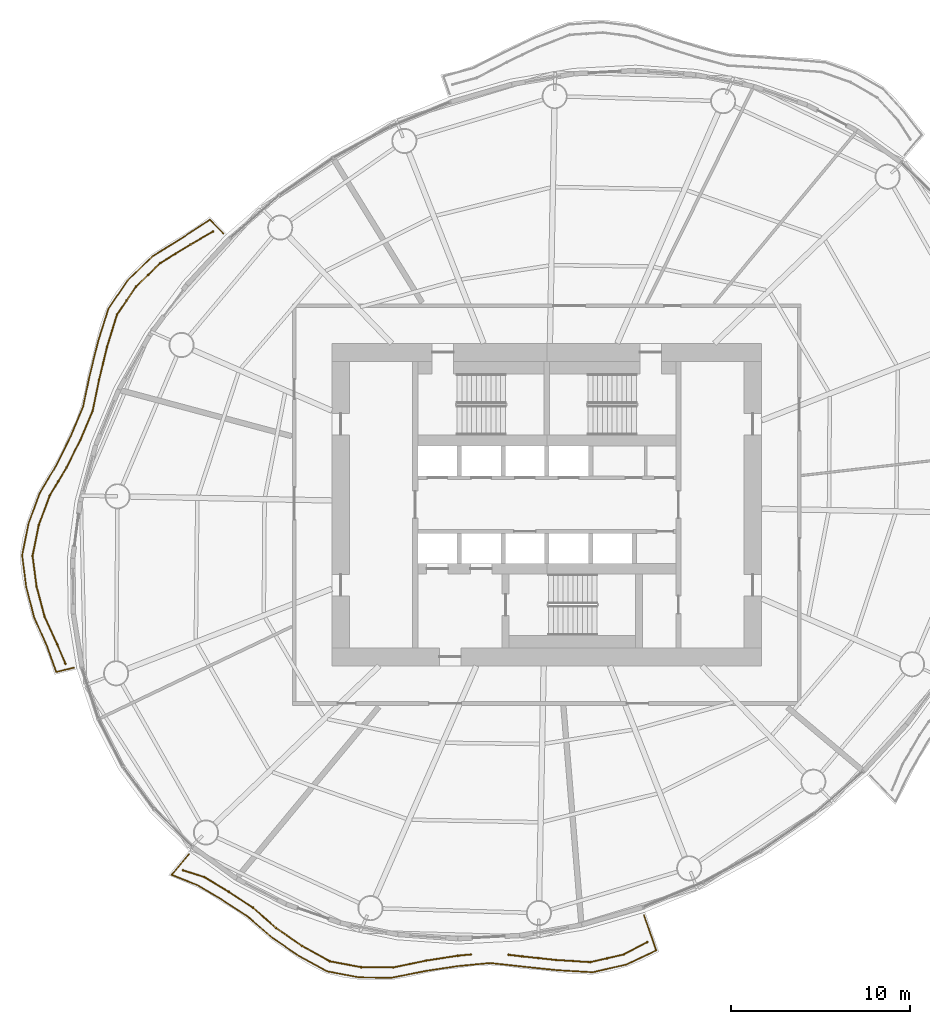
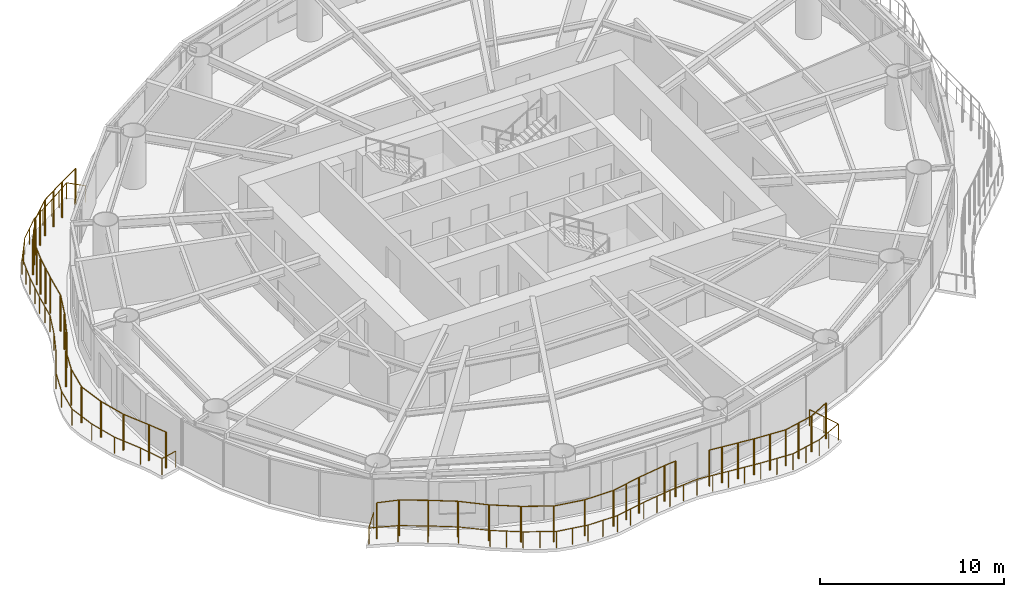
# One storey, part 12 of 15: 5 railings.
"""IFC4 building model written with IfcOpenShell, lengths in metres."""

from ifc_helpers import new_model, si_unit, direction, frame, origin, origin_2d, place, context, subcontext, project, spatial, circle, extrude, material, type_object, element, save


model = new_model("IFC4")

# Units and contexts
model_context = context("Model", 3, precision=1e-05, world=origin(), true_north=direction((0.0, 1.0)))
body_context = subcontext(model_context, "Body", "Model", "MODEL_VIEW")
ifc_project = project(units=[si_unit("LENGTHUNIT", "METRE"), si_unit("AREAUNIT", "SQUARE_METRE"), si_unit("VOLUMEUNIT", "CUBIC_METRE"), si_unit("PLANEANGLEUNIT", "RADIAN"), si_unit("MASSUNIT", "GRAM", prefix="KILO")], contexts=[model_context])

# Site, building, storey
site_placement = place(None, origin())
site = spatial("IfcSite", under=ifc_project, at=site_placement, CompositionType="ELEMENT")
building_placement = place(site_placement, origin())
building = spatial("IfcBuilding", under=site, at=building_placement, Name="Vermilion Reach Broadcast Tower", CompositionType="ELEMENT")
storey_placement = place(building_placement, frame((0.0, 0.0, 161.39990234375)))
storey = spatial("IfcBuildingStorey", under=building, at=storey_placement, Name="L38", CompositionType="ELEMENT", Elevation=161.39990234375)

# Railings
ifc_material_1 = material(Name="Terracotta baguette", Category="masonry")
railing_type_1 = type_object("IfcRailingType", Name="BAGUETTE SCREEN", PredefinedType="USERDEFINED", material=ifc_material_1)
railing_1_placement = place(storey_placement, frame((-24.630126953125, 15.246826171875, 0.0)))
element("IfcRailing", 1, at=railing_1_placement, inside=storey, type_object=railing_type_1, Name="Baguette screen L38 group 2", ObjectType="BAGUETTE SCREEN", PredefinedType="USERDEFINED", context=body_context, shape_type="SweptSolid", body=[
    extrude(circle(Radius=0.030029296875, at=origin_2d()), frame((0.0, 0.0, 2.369873046875), z_axis=(-0.865789269048, -0.500408774506, 0.0), x_axis=(0.500408774506, -0.865789269048, 0.0)), (0.0, 0.0, 1.0), 1.457275390625),
    extrude(circle(Radius=0.030029296875, at=origin_2d()), frame((-1.26171875, -0.729248046875, 2.369873046875), z_axis=(-0.852202232403, -0.523212533382, 0.0), x_axis=(0.523212533382, -0.852202232403, 0.0)), (0.0, 0.0, 1.0), 1.970947265625),
    extrude(circle(Radius=0.030029296875, at=origin_2d()), frame((-2.94140625, -1.760498046875, 2.369873046875), z_axis=(-0.717781379006, -0.696268548731, 0.0), x_axis=(0.696268548731, -0.717781379006, 0.0)), (0.0, 0.0, 1.0), 1.895263671875),
    extrude(circle(Radius=0.030029296875, at=origin_2d()), frame((-4.3017578125, -3.080078125, 2.369873046875), z_axis=(-0.561336973959, -0.827587337788, 0.0), x_axis=(0.827587337788, -0.561336973959, 0.0)), (0.0, 0.0, 1.0), 1.887939453125),
    extrude(circle(Radius=0.030029296875, at=origin_2d()), frame((-5.361572265625, -4.642578125, 2.369873046875), z_axis=(-0.294664988921, -0.955600619665, 0.0), x_axis=(0.955600619665, -0.294664988921, 0.0)), (0.0, 0.0, 1.0), 1.895751953125),
    extrude(circle(Radius=0.030029296875, at=origin_2d()), frame((-5.920166015625, -6.4541015625, 2.369873046875), z_axis=(-0.235439492781, -0.971889008704, 0.0), x_axis=(0.971889008704, -0.235439492781, 0.0)), (0.0, 0.0, 1.0), 1.871826171875),
    extrude(circle(Radius=0.030029296875, at=origin_2d()), frame((-6.36083984375, -8.273193359375, 2.369873046875), z_axis=(-0.203529616167, -0.979068789893, 0.0), x_axis=(0.979068789893, -0.203529616167, 0.0)), (0.0, 0.0, 1.0), 1.791015625),
    extrude(circle(Radius=0.030029296875, at=origin_2d()), frame((-6.725341796875, -10.026611328125, 2.369873046875), z_axis=(-0.390106705086, -0.920769655586, 0.0), x_axis=(0.920769655586, -0.390106705086, 0.0)), (0.0, 0.0, 1.0), 1.740478515625),
    extrude(circle(Radius=0.030029296875, at=origin_2d()), frame((-7.404296875, -11.629150390625, 2.369873046875), z_axis=(-0.445802272519, -0.895131461751, 0.0), x_axis=(0.895131461751, -0.445802272519, 0.0)), (0.0, 0.0, 1.0), 1.73046875),
    extrude(circle(Radius=0.030029296875, at=origin_2d()), frame((-8.17578125, -13.17822265625, 2.369873046875), z_axis=(-0.515145119126, -0.85710297295, 0.0), x_axis=(0.85710297295, -0.515145119126, 0.0)), (0.0, 0.0, 1.0), 1.82421875),
    extrude(circle(Radius=0.030029296875, at=origin_2d()), frame((-9.115478515625, -14.74169921875, 2.369873046875), z_axis=(-0.348838711463, -0.937182774802, 0.0), x_axis=(0.937182774802, -0.348838711463, 0.0)), (0.0, 0.0, 1.0), 1.75732421875),
    extrude(circle(Radius=0.030029296875, at=origin_2d()), frame((-9.728515625, -16.388671875, 2.369873046875), z_axis=(-0.198224567176, -0.980156630834, 0.0), x_axis=(0.980156630834, -0.198224567176, 0.0)), (0.0, 0.0, 1.0), 1.7587890625),
    extrude(circle(Radius=0.030029296875, at=origin_2d()), frame((-10.0771484375, -18.112548828125, 2.369873046875), z_axis=(0.130692073945, -0.991423008512, 0.0), x_axis=(0.991423008512, 0.130692073945, 0.0)), (0.0, 0.0, 1.0), 1.72802734375),
    extrude(circle(Radius=0.030029296875, at=origin_2d()), frame((-9.851318359375, -19.82568359375, 2.369873046875), z_axis=(0.257565917612, -0.966260729868, 0.0), x_axis=(0.966260729868, 0.257565917612, 0.0)), (0.0, 0.0, 1.0), 1.72802734375),
    extrude(circle(Radius=0.030029296875, at=origin_2d()), frame((-9.40625, -21.495361328125, 2.369873046875), z_axis=(0.414980190974, -0.909830446347, 0.0), x_axis=(0.909830446347, 0.414980190974, 0.0)), (0.0, 0.0, 1.0), 1.70263671875),
    extrude(circle(Radius=0.030029296875, at=origin_2d()), frame((-8.69970703125, -23.04443359375, 2.369873046875), z_axis=(0.389089822634, -0.921199820844, 0.0), x_axis=(0.921199820844, 0.389089822634, 0.0)), (0.0, 0.0, 1.0), 1.1728515625),
    extrude(circle(Radius=0.050048828125, at=origin_2d()), origin(), (0.0, 0.0, 1.0), 2.33984375),
    extrude(circle(Radius=0.050048828125, at=origin_2d()), frame((-1.26171875, -0.729248046875, 0.0)), (0.0, 0.0, 1.0), 2.33984375),
    extrude(circle(Radius=0.050048828125, at=origin_2d()), frame((-2.1015625, -1.244873046875, 0.0)), (0.0, 0.0, 1.0), 2.33984375),
    extrude(circle(Radius=0.050048828125, at=origin_2d()), frame((-2.94140625, -1.760498046875, 0.0)), (0.0, 0.0, 1.0), 2.33984375),
    extrude(circle(Radius=0.050048828125, at=origin_2d()), frame((-3.62158203125, -2.42041015625, 0.0)), (0.0, 0.0, 1.0), 2.33984375),
    extrude(circle(Radius=0.050048828125, at=origin_2d()), frame((-4.3017578125, -3.080078125, 0.0)), (0.0, 0.0, 1.0), 2.33984375),
    extrude(circle(Radius=0.050048828125, at=origin_2d()), frame((-4.83154296875, -3.861328125, 0.0)), (0.0, 0.0, 1.0), 2.33984375),
    extrude(circle(Radius=0.050048828125, at=origin_2d()), frame((-5.361572265625, -4.642578125, 0.0)), (0.0, 0.0, 1.0), 2.33984375),
    extrude(circle(Radius=0.050048828125, at=origin_2d()), frame((-5.640869140625, -5.54833984375, 0.0)), (0.0, 0.0, 1.0), 2.33984375),
    extrude(circle(Radius=0.050048828125, at=origin_2d()), frame((-5.920166015625, -6.4541015625, 0.0)), (0.0, 0.0, 1.0), 2.33984375),
    extrude(circle(Radius=0.050048828125, at=origin_2d()), frame((-6.140625, -7.36376953125, 0.0)), (0.0, 0.0, 1.0), 2.33984375),
    extrude(circle(Radius=0.050048828125, at=origin_2d()), frame((-6.36083984375, -8.273193359375, 0.0)), (0.0, 0.0, 1.0), 2.33984375),
    extrude(circle(Radius=0.050048828125, at=origin_2d()), frame((-6.725341796875, -10.026611328125, 0.0)), (0.0, 0.0, 1.0), 2.33984375),
    extrude(circle(Radius=0.050048828125, at=origin_2d()), frame((-7.404296875, -11.629150390625, 0.0)), (0.0, 0.0, 1.0), 2.33984375),
    extrude(circle(Radius=0.050048828125, at=origin_2d()), frame((-8.17578125, -13.17822265625, 0.0)), (0.0, 0.0, 1.0), 2.33984375),
    extrude(circle(Radius=0.050048828125, at=origin_2d()), frame((-8.6455078125, -13.9599609375, 0.0)), (0.0, 0.0, 1.0), 2.33984375),
    extrude(circle(Radius=0.050048828125, at=origin_2d()), frame((-9.115478515625, -14.74169921875, 0.0)), (0.0, 0.0, 1.0), 2.33984375),
    extrude(circle(Radius=0.050048828125, at=origin_2d()), frame((-9.728515625, -16.388671875, 0.0)), (0.0, 0.0, 1.0), 2.33984375),
    extrude(circle(Radius=0.050048828125, at=origin_2d()), frame((-10.0771484375, -18.112548828125, 0.0)), (0.0, 0.0, 1.0), 2.33984375),
    extrude(circle(Radius=0.050048828125, at=origin_2d()), frame((-9.851318359375, -19.82568359375, 0.0)), (0.0, 0.0, 1.0), 2.33984375),
    extrude(circle(Radius=0.050048828125, at=origin_2d()), frame((-9.40625, -21.495361328125, 0.0)), (0.0, 0.0, 1.0), 2.33984375),
    extrude(circle(Radius=0.050048828125, at=origin_2d()), frame((-8.69970703125, -23.04443359375, 0.0)), (0.0, 0.0, 1.0), 2.33984375),
    extrude(circle(Radius=0.050048828125, at=origin_2d()), frame((-8.243408203125, -24.124755859375, 0.0)), (0.0, 0.0, 1.0), 2.33984375),
])
railing_2_placement = place(storey_placement, frame((-26.300537109375, -20.412841796875, 0.0)))
element("IfcRailing", 2, at=railing_2_placement, inside=storey, type_object=railing_type_1, Name="Baguette screen L38 group 3 part 1", ObjectType="BAGUETTE SCREEN", PredefinedType="USERDEFINED", context=body_context, shape_type="SweptSolid", body=[
    extrude(circle(Radius=0.030029296875, at=origin_2d()), frame((0.0, 0.0, 2.369873046875), z_axis=(0.952666501085, -0.304017331265, 0.0), x_axis=(0.304017331265, 0.952666501085, 0.0)), (0.0, 0.0, 1.0), 1.23828125),
    extrude(circle(Radius=0.030029296875, at=origin_2d()), frame((1.1796875, -0.37646484375, 2.369873046875), z_axis=(0.857858377668, -0.513886177927, 0.0), x_axis=(0.513886177927, 0.857858377668, 0.0)), (0.0, 0.0, 1.0), 1.590576171875),
    extrude(circle(Radius=0.030029296875, at=origin_2d()), frame((2.544189453125, -1.19384765625, 2.369873046875), z_axis=(0.835130519487, -0.550051829759, 0.0), x_axis=(0.550051829759, 0.835130519487, 0.0)), (0.0, 0.0, 1.0), 1.627197265625),
    extrude(circle(Radius=0.030029296875, at=origin_2d()), frame((3.903076171875, -2.0888671875, 2.369873046875), z_axis=(0.750875033817, -0.660444307713, 0.0), x_axis=(0.660444307713, 0.750875033817, 0.0)), (0.0, 0.0, 1.0), 1.708984375),
    extrude(circle(Radius=0.030029296875, at=origin_2d()), frame((5.186279296875, -3.217529296875, 2.369873046875), z_axis=(0.822222124769, -0.569166739664, 0.0), x_axis=(0.569166739664, 0.822222124769, 0.0)), (0.0, 0.0, 1.0), 1.76171875),
    extrude(circle(Radius=0.030029296875, at=origin_2d()), frame((6.634765625, -4.22021484375, 2.369873046875), z_axis=(0.874780573152, -0.484519296661, 0.0), x_axis=(0.484519296661, 0.874780573152, 0.0)), (0.0, 0.0, 1.0), 1.771728515625),
    extrude(circle(Radius=0.030029296875, at=origin_2d()), frame((8.1845703125, -5.07861328125, 2.369873046875), z_axis=(0.982694016876, -0.185236252382, 0.0), x_axis=(0.185236252382, 0.982694016876, 0.0)), (0.0, 0.0, 1.0), 1.78857421875),
    extrude(circle(Radius=0.030029296875, at=origin_2d()), frame((9.942138671875, -5.409912109375, 2.369873046875), z_axis=(0.999977699705, -0.00667833001, 0.0), x_axis=(0.00667833001, 0.999977699705, 0.0)), (0.0, 0.0, 1.0), 1.791259765625),
    extrude(circle(Radius=0.030029296875, at=origin_2d()), frame((11.7333984375, -5.421875, 2.369873046875), z_axis=(0.979129919444, 0.203235333666, 0.0), x_axis=(-0.203235333666, 0.979129919444, 0.0)), (0.0, 0.0, 1.0), 1.87158203125),
    extrude(circle(Radius=0.030029296875, at=origin_2d()), frame((13.56591796875, -5.04150390625, 2.369873046875), z_axis=(0.988168546056, 0.153371850695, 0.0), x_axis=(-0.153371850695, 0.988168546056, 0.0)), (0.0, 0.0, 1.0), 1.7861328125),
    extrude(circle(Radius=0.030029296875, at=origin_2d()), frame((15.330810546875, -4.767578125, 2.369873046875), z_axis=(0.995390095133, 0.095909115891, 0.0), x_axis=(-0.095909115891, 0.995390095133, 0.0)), (0.0, 0.0, 1.0), 0.733154296875),
    extrude(circle(Radius=0.050048828125, at=origin_2d()), origin(), (0.0, 0.0, 1.0), 2.33984375),
    extrude(circle(Radius=0.050048828125, at=origin_2d()), frame((1.1796875, -0.37646484375, 0.0)), (0.0, 0.0, 1.0), 2.33984375),
    extrude(circle(Radius=0.050048828125, at=origin_2d()), frame((2.544189453125, -1.19384765625, 0.0)), (0.0, 0.0, 1.0), 2.33984375),
    extrude(circle(Radius=0.050048828125, at=origin_2d()), frame((3.903076171875, -2.0888671875, 0.0)), (0.0, 0.0, 1.0), 2.33984375),
    extrude(circle(Radius=0.050048828125, at=origin_2d()), frame((5.186279296875, -3.217529296875, 0.0)), (0.0, 0.0, 1.0), 2.33984375),
    extrude(circle(Radius=0.050048828125, at=origin_2d()), frame((6.634765625, -4.22021484375, 0.0)), (0.0, 0.0, 1.0), 2.33984375),
    extrude(circle(Radius=0.050048828125, at=origin_2d()), frame((8.1845703125, -5.07861328125, 0.0)), (0.0, 0.0, 1.0), 2.33984375),
    extrude(circle(Radius=0.050048828125, at=origin_2d()), frame((9.942138671875, -5.409912109375, 0.0)), (0.0, 0.0, 1.0), 2.33984375),
    extrude(circle(Radius=0.050048828125, at=origin_2d()), frame((11.7333984375, -5.421875, 0.0)), (0.0, 0.0, 1.0), 2.33984375),
    extrude(circle(Radius=0.050048828125, at=origin_2d()), frame((12.649658203125, -5.231689453125, 0.0)), (0.0, 0.0, 1.0), 2.33984375),
    extrude(circle(Radius=0.050048828125, at=origin_2d()), frame((13.56591796875, -5.04150390625, 0.0)), (0.0, 0.0, 1.0), 2.33984375),
    extrude(circle(Radius=0.050048828125, at=origin_2d()), frame((15.330810546875, -4.767578125, 0.0)), (0.0, 0.0, 1.0), 2.33984375),
    extrude(circle(Radius=0.050048828125, at=origin_2d()), frame((16.060546875, -4.697265625, 0.0)), (0.0, 0.0, 1.0), 2.33984375),
])
railing_3_placement = place(storey_placement, frame((-8.13623046875, -25.12939453125, 0.0)))
element("IfcRailing", 3, at=railing_3_placement, inside=storey, type_object=railing_type_1, Name="Baguette screen L38 group 3 part 2", ObjectType="BAGUETTE SCREEN", PredefinedType="USERDEFINED", context=body_context, shape_type="SweptSolid", body=[
    extrude(circle(Radius=0.030029296875, at=origin_2d()), frame((0.0, 0.0, 2.369873046875), z_axis=(0.993611867789, -0.112851478456, 0.0), x_axis=(0.112851478456, 0.993611867789, 0.0)), (0.0, 0.0, 1.0), 0.7529296875),
    extrude(circle(Radius=0.030029296875, at=origin_2d()), frame((0.748046875, -0.0849609375, 2.369873046875), z_axis=(0.994246300992, -0.107118126215, 0.0), x_axis=(0.107118126215, 0.994246300992, 0.0)), (0.0, 0.0, 1.0), 1.90087890625),
    extrude(circle(Radius=0.030029296875, at=origin_2d()), frame((2.637939453125, -0.28857421875, 2.369873046875), z_axis=(0.998043228569, -0.062527705119, 0.0), x_axis=(0.062527705119, 0.998043228569, 0.0)), (0.0, 0.0, 1.0), 1.9326171875),
    extrude(circle(Radius=0.030029296875, at=origin_2d()), frame((4.56689453125, -0.409423828125, 2.369873046875), z_axis=(0.974819673646, 0.222994627453, 0.0), x_axis=(-0.222994627453, 0.974819673646, 0.0)), (0.0, 0.0, 1.0), 1.91259765625),
    extrude(circle(Radius=0.030029296875, at=origin_2d()), frame((6.431396484375, 0.01708984375, 2.369873046875), z_axis=(0.885834771847, 0.464000815718, 0.0), x_axis=(-0.464000815718, 0.885834771847, 0.0)), (0.0, 0.0, 1.0), 1.476318359375),
    extrude(circle(Radius=0.050048828125, at=origin_2d()), origin(), (0.0, 0.0, 1.0), 2.33984375),
    extrude(circle(Radius=0.050048828125, at=origin_2d()), frame((0.748046875, -0.0849609375, 0.0)), (0.0, 0.0, 1.0), 2.33984375),
    extrude(circle(Radius=0.050048828125, at=origin_2d()), frame((1.69287109375, -0.186767578125, 0.0)), (0.0, 0.0, 1.0), 2.33984375),
    extrude(circle(Radius=0.050048828125, at=origin_2d()), frame((2.637939453125, -0.28857421875, 0.0)), (0.0, 0.0, 1.0), 2.33984375),
    extrude(circle(Radius=0.050048828125, at=origin_2d()), frame((3.6025390625, -0.34912109375, 0.0)), (0.0, 0.0, 1.0), 2.33984375),
    extrude(circle(Radius=0.050048828125, at=origin_2d()), frame((4.56689453125, -0.409423828125, 0.0)), (0.0, 0.0, 1.0), 2.33984375),
    extrude(circle(Radius=0.050048828125, at=origin_2d()), frame((5.4990234375, -0.1962890625, 0.0)), (0.0, 0.0, 1.0), 2.33984375),
    extrude(circle(Radius=0.050048828125, at=origin_2d()), frame((6.431396484375, 0.01708984375, 0.0)), (0.0, 0.0, 1.0), 2.33984375),
    extrude(circle(Radius=0.050048828125, at=origin_2d()), frame((7.7392578125, 0.7021484375, 0.0)), (0.0, 0.0, 1.0), 2.33984375),
])
ifc_material_2 = material(Name="Stainless steel 316 balustrade", Category="steel")
railing_type_2 = type_object("IfcRailingType", Name="Balcony guard 1100", PredefinedType="BALUSTRADE", material=ifc_material_2)
railing_4_placement = place(storey_placement, frame((-24.057373046875, 15.129150390625, 0.0)))
element("IfcRailing", 4, at=railing_4_placement, inside=storey, type_object=railing_type_2, Name="Balcony guard L38 group 2", PredefinedType="BALUSTRADE", context=body_context, shape_type="SweptSolid", body=[
    extrude(circle(Radius=0.02490234375, at=origin_2d()), frame((0.0, 0.0, 1.0751953125), z_axis=(-0.695726047083, 0.718307223554, 0.0), x_axis=(-0.718307223554, -0.695726047083, 0.0)), (0.0, 0.0, 1.0), 1.0810546875),
    extrude(circle(Radius=0.02490234375, at=origin_2d()), frame((-0.752197265625, 0.776611328125, 1.0751953125), z_axis=(-0.834846686588, -0.550482524603, 0.0), x_axis=(0.550482524603, -0.834846686588, 0.0)), (0.0, 0.0, 1.0), 1.806396484375),
    extrude(circle(Radius=0.02490234375, at=origin_2d()), frame((-2.26025390625, -0.2177734375, 1.0751953125), z_axis=(-0.84969291632, -0.527277865983, 0.0), x_axis=(0.527277865983, -0.84969291632, 0.0)), (0.0, 0.0, 1.0), 2.002197265625),
    extrude(circle(Radius=0.02490234375, at=origin_2d()), frame((-3.96142578125, -1.2734375, 1.0751953125), z_axis=(-0.716104588094, -0.697992993454, 0.0), x_axis=(0.697992993454, -0.716104588094, 0.0)), (0.0, 0.0, 1.0), 1.927490234375),
    extrude(circle(Radius=0.02490234375, at=origin_2d()), frame((-5.341796875, -2.618896484375, 1.0751953125), z_axis=(-0.561482779394, -0.82748842194, 0.0), x_axis=(0.82748842194, -0.561482779394, 0.0)), (0.0, 0.0, 1.0), 1.921875),
    extrude(circle(Radius=0.02490234375, at=origin_2d()), frame((-6.4208984375, -4.209228515625, 1.0751953125), z_axis=(-0.298743461335, -0.954333455512, 0.0), x_axis=(0.954333455512, -0.298743461335, 0.0)), (0.0, 0.0, 1.0), 1.9287109375),
    extrude(circle(Radius=0.02490234375, at=origin_2d()), frame((-6.9970703125, -6.0498046875, 1.0751953125), z_axis=(-0.239912660536, -0.970794476351, 0.0), x_axis=(0.970794476351, -0.239912660536, 0.0)), (0.0, 0.0, 1.0), 1.906005859375),
    extrude(circle(Radius=0.02490234375, at=origin_2d()), frame((-7.454345703125, -7.900146484375, 1.0751953125), z_axis=(-0.207701997183, -0.978192149, 0.0), x_axis=(0.978192149, -0.207701997183, 0.0)), (0.0, 0.0, 1.0), 1.825439453125),
    extrude(circle(Radius=0.02490234375, at=origin_2d()), frame((-7.83349609375, -9.685791015625, 1.0751953125), z_axis=(-0.389339801327, -0.92109419665, 0.0), x_axis=(0.92109419665, -0.389339801327, 0.0)), (0.0, 0.0, 1.0), 1.77783203125),
    extrude(circle(Radius=0.02490234375, at=origin_2d()), frame((-8.525634765625, -11.3232421875, 1.0751953125), z_axis=(-0.442787168565, -0.896626746954, 0.0), x_axis=(0.896626746954, -0.442787168565, 0.0)), (0.0, 0.0, 1.0), 1.76708984375),
    extrude(circle(Radius=0.02490234375, at=origin_2d()), frame((-9.30810546875, -12.90771484375, 1.0751953125), z_axis=(-0.509608264173, -0.86040654175, 0.0), x_axis=(0.86040654175, -0.509608264173, 0.0)), (0.0, 0.0, 1.0), 1.861572265625),
    extrude(circle(Radius=0.02490234375, at=origin_2d()), frame((-10.2568359375, -14.509521484375, 1.0751953125), z_axis=(-0.344873682858, -0.938649105295, 0.0), x_axis=(0.938649105295, -0.344873682858, 0.0)), (0.0, 0.0, 1.0), 1.7958984375),
    extrude(circle(Radius=0.02490234375, at=origin_2d()), frame((-10.876220703125, -16.1953125, 1.0751953125), z_axis=(-0.196011789184, -0.980601539108, 0.0), x_axis=(0.980601539108, -0.196011789184, 0.0)), (0.0, 0.0, 1.0), 1.7998046875),
    extrude(circle(Radius=0.02490234375, at=origin_2d()), frame((-11.22900390625, -17.960205078125, 1.0751953125), z_axis=(0.127143421041, -0.991884343301, 0.0), x_axis=(0.991884343301, 0.127143421041, 0.0)), (0.0, 0.0, 1.0), 1.7685546875),
    extrude(circle(Radius=0.02490234375, at=origin_2d()), frame((-11.004150390625, -19.71435546875, 1.0751953125), z_axis=(0.252612740445, -0.967567467087, 0.0), x_axis=(0.967567467087, 0.252612740445, 0.0)), (0.0, 0.0, 1.0), 1.7705078125),
    extrude(circle(Radius=0.02490234375, at=origin_2d()), frame((-10.556884765625, -21.427490234375, 1.0751953125), z_axis=(0.408267816724, -0.912862196516, 0.0), x_axis=(0.912862196516, 0.408267816724, 0.0)), (0.0, 0.0, 1.0), 1.74365234375),
    extrude(circle(Radius=0.02490234375, at=origin_2d()), frame((-9.844970703125, -23.019287109375, 1.0751953125), z_axis=(0.336326351839, -0.941745499091, 0.0), x_axis=(0.941745499091, 0.336326351839, 0.0)), (0.0, 0.0, 1.0), 1.53955078125),
    extrude(circle(Radius=0.02490234375, at=origin_2d()), frame((-9.3271484375, -24.46923828125, 1.0751953125), z_axis=(0.971921624252, 0.235304815743, 0.0), x_axis=(-0.235304815743, 0.971921624252, 0.0)), (0.0, 0.0, 1.0), 1.017822265625),
    extrude(circle(Radius=0.02490234375, at=origin_2d()), origin(), (0.0, 0.0, 1.0), 1.050048828125),
    extrude(circle(Radius=0.02490234375, at=origin_2d()), frame((-0.752197265625, 0.776611328125, 0.0)), (0.0, 0.0, 1.0), 1.050048828125),
    extrude(circle(Radius=0.02490234375, at=origin_2d()), frame((-1.50634765625, 0.279296875, 0.0)), (0.0, 0.0, 1.0), 1.050048828125),
    extrude(circle(Radius=0.02490234375, at=origin_2d()), frame((-2.26025390625, -0.2177734375, 0.0)), (0.0, 0.0, 1.0), 1.050048828125),
    extrude(circle(Radius=0.02490234375, at=origin_2d()), frame((-3.11083984375, -0.74560546875, 0.0)), (0.0, 0.0, 1.0), 1.050048828125),
    extrude(circle(Radius=0.02490234375, at=origin_2d()), frame((-3.96142578125, -1.2734375, 0.0)), (0.0, 0.0, 1.0), 1.050048828125),
    extrude(circle(Radius=0.02490234375, at=origin_2d()), frame((-4.651611328125, -1.9462890625, 0.0)), (0.0, 0.0, 1.0), 1.050048828125),
    extrude(circle(Radius=0.02490234375, at=origin_2d()), frame((-5.341796875, -2.618896484375, 0.0)), (0.0, 0.0, 1.0), 1.050048828125),
    extrude(circle(Radius=0.02490234375, at=origin_2d()), frame((-5.88134765625, -3.4140625, 0.0)), (0.0, 0.0, 1.0), 1.050048828125),
    extrude(circle(Radius=0.02490234375, at=origin_2d()), frame((-6.4208984375, -4.209228515625, 0.0)), (0.0, 0.0, 1.0), 1.050048828125),
    extrude(circle(Radius=0.02490234375, at=origin_2d()), frame((-6.708984375, -5.12939453125, 0.0)), (0.0, 0.0, 1.0), 1.050048828125),
    extrude(circle(Radius=0.02490234375, at=origin_2d()), frame((-6.9970703125, -6.0498046875, 0.0)), (0.0, 0.0, 1.0), 1.050048828125),
    extrude(circle(Radius=0.02490234375, at=origin_2d()), frame((-7.2255859375, -6.97509765625, 0.0)), (0.0, 0.0, 1.0), 1.050048828125),
    extrude(circle(Radius=0.02490234375, at=origin_2d()), frame((-7.454345703125, -7.900146484375, 0.0)), (0.0, 0.0, 1.0), 1.050048828125),
    extrude(circle(Radius=0.02490234375, at=origin_2d()), frame((-7.64404296875, -8.79296875, 0.0)), (0.0, 0.0, 1.0), 1.050048828125),
    extrude(circle(Radius=0.02490234375, at=origin_2d()), frame((-7.83349609375, -9.685791015625, 0.0)), (0.0, 0.0, 1.0), 1.050048828125),
    extrude(circle(Radius=0.02490234375, at=origin_2d()), frame((-8.525634765625, -11.3232421875, 0.0)), (0.0, 0.0, 1.0), 1.050048828125),
    extrude(circle(Radius=0.02490234375, at=origin_2d()), frame((-9.30810546875, -12.90771484375, 0.0)), (0.0, 0.0, 1.0), 1.050048828125),
    extrude(circle(Radius=0.02490234375, at=origin_2d()), frame((-9.782470703125, -13.70849609375, 0.0)), (0.0, 0.0, 1.0), 1.050048828125),
    extrude(circle(Radius=0.02490234375, at=origin_2d()), frame((-10.2568359375, -14.509521484375, 0.0)), (0.0, 0.0, 1.0), 1.050048828125),
    extrude(circle(Radius=0.02490234375, at=origin_2d()), frame((-10.876220703125, -16.1953125, 0.0)), (0.0, 0.0, 1.0), 1.050048828125),
    extrude(circle(Radius=0.02490234375, at=origin_2d()), frame((-11.22900390625, -17.960205078125, 0.0)), (0.0, 0.0, 1.0), 1.050048828125),
    extrude(circle(Radius=0.02490234375, at=origin_2d()), frame((-11.004150390625, -19.71435546875, 0.0)), (0.0, 0.0, 1.0), 1.050048828125),
    extrude(circle(Radius=0.02490234375, at=origin_2d()), frame((-10.556884765625, -21.427490234375, 0.0)), (0.0, 0.0, 1.0), 1.050048828125),
    extrude(circle(Radius=0.02490234375, at=origin_2d()), frame((-9.844970703125, -23.019287109375, 0.0)), (0.0, 0.0, 1.0), 1.050048828125),
    extrude(circle(Radius=0.02490234375, at=origin_2d()), frame((-9.3271484375, -24.46923828125, 0.0)), (0.0, 0.0, 1.0), 1.050048828125),
    extrude(circle(Radius=0.02490234375, at=origin_2d()), frame((-8.337890625, -24.229736328125, 0.0)), (0.0, 0.0, 1.0), 1.050048828125),
])
railing_5_placement = place(storey_placement, frame((-25.969482421875, -19.5126953125, 0.0)))
element("IfcRailing", 5, at=railing_5_placement, inside=storey, type_object=railing_type_2, Name="Balcony guard L38 group 3", PredefinedType="BALUSTRADE", context=body_context, shape_type="SweptSolid", body=[
    extrude(circle(Radius=0.02490234375, at=origin_2d()), frame((0.0, 0.0, 1.0751953125), z_axis=(-0.64617469871, -0.763189530029, 0.0), x_axis=(0.763189530029, -0.64617469871, 0.0)), (0.0, 0.0, 1.0), 1.50634765625),
    extrude(circle(Radius=0.02490234375, at=origin_2d()), frame((-0.973388671875, -1.149658203125, 1.0751953125), z_axis=(0.92758921787, -0.373601716929, 0.0), x_axis=(0.373601716929, 0.92758921787, 0.0)), (0.0, 0.0, 1.0), 1.598388671875),
    extrude(circle(Radius=0.02490234375, at=origin_2d()), frame((0.50927734375, -1.746826171875, 1.0751953125), z_axis=(0.857136722847, -0.515088961585, 0.0), x_axis=(0.515088961585, 0.857136722847, 0.0)), (0.0, 0.0, 1.0), 1.6337890625),
    extrude(circle(Radius=0.02490234375, at=origin_2d()), frame((1.90966796875, -2.58837890625, 1.0751953125), z_axis=(0.836165237036, -0.548477617021, 0.0), x_axis=(0.548477617021, 0.836165237036, 0.0)), (0.0, 0.0, 1.0), 1.670166015625),
    extrude(circle(Radius=0.02490234375, at=origin_2d()), frame((3.30615234375, -3.50439453125, 1.0751953125), z_axis=(0.755122231404, -0.655584026377, 0.0), x_axis=(0.655584026377, 0.755122231404, 0.0)), (0.0, 0.0, 1.0), 1.748779296875),
    extrude(circle(Radius=0.02490234375, at=origin_2d()), frame((4.626708984375, -4.65087890625, 1.0751953125), z_axis=(0.825340496072, -0.564635338554, 0.0), x_axis=(0.564635338554, 0.825340496072, 0.0)), (0.0, 0.0, 1.0), 1.8017578125),
    extrude(circle(Radius=0.02490234375, at=origin_2d()), frame((6.11376953125, -5.668212890625, 1.0751953125), z_axis=(0.876872937113, -0.480722219331, 0.0), x_axis=(0.480722219331, 0.876872937113, 0.0)), (0.0, 0.0, 1.0), 1.81005859375),
    extrude(circle(Radius=0.02490234375, at=origin_2d()), frame((7.700927734375, -6.538330078125, 1.0751953125), z_axis=(0.982508864259, -0.186215820092, 0.0), x_axis=(0.186215820092, 0.982508864259, 0.0)), (0.0, 0.0, 1.0), 1.82763671875),
    extrude(circle(Radius=0.02490234375, at=origin_2d()), frame((9.49658203125, -6.878662109375, 1.0751953125), z_axis=(0.999951158841, -0.009883315848, 0.0), x_axis=(0.009883315848, 0.999951158841, 0.0)), (0.0, 0.0, 1.0), 1.827880859375),
    extrude(circle(Radius=0.02490234375, at=origin_2d()), frame((11.324462890625, -6.896728515625, 1.0751953125), z_axis=(0.980328801146, 0.197371329334, 0.0), x_axis=(-0.197371329334, 0.980328801146, 0.0)), (0.0, 0.0, 1.0), 1.907470703125),
    extrude(circle(Radius=0.02490234375, at=origin_2d()), frame((13.1943359375, -6.520263671875, 1.0751953125), z_axis=(0.988737763464, 0.149658394687, 0.0), x_axis=(-0.149658394687, 0.988737763464, 0.0)), (0.0, 0.0, 1.0), 1.820556640625),
    extrude(circle(Radius=0.02490234375, at=origin_2d()), frame((14.994384765625, -6.247802734375, 1.0751953125), z_axis=(0.995501502076, 0.094745761724, 0.0), x_axis=(-0.094745761724, 0.995501502076, 0.0)), (0.0, 0.0, 1.0), 1.8193359375),
    extrude(circle(Radius=0.02490234375, at=origin_2d()), frame((16.805419921875, -6.075439453125, 1.0751953125), z_axis=(0.993989437868, -0.109476012929, 0.0), x_axis=(0.109476012929, 0.993989437868, 0.0)), (0.0, 0.0, 1.0), 1.85107421875),
    extrude(circle(Radius=0.02490234375, at=origin_2d()), frame((18.645263671875, -6.278076171875, 1.0751953125), z_axis=(0.994691348187, -0.102903458844, 0.0), x_axis=(0.102903458844, 0.994691348187, 0.0)), (0.0, 0.0, 1.0), 1.93359375),
    extrude(circle(Radius=0.02490234375, at=origin_2d()), frame((20.568603515625, -6.47705078125, 1.0751953125), z_axis=(0.998306792459, -0.058168274262, 0.0), x_axis=(0.058168274262, 0.998306792459, 0.0)), (0.0, 0.0, 1.0), 1.96435546875),
    extrude(circle(Radius=0.02490234375, at=origin_2d()), frame((22.529541015625, -6.59130859375, 1.0751953125), z_axis=(0.974764184274, 0.223237060224, 0.0), x_axis=(-0.223237060224, 0.974764184274, 0.0)), (0.0, 0.0, 1.0), 1.945556640625),
    extrude(circle(Radius=0.02490234375, at=origin_2d()), frame((24.426025390625, -6.156982421875, 1.0751953125), z_axis=(0.903175500107, 0.429271494519, 0.0), x_axis=(-0.429271494519, 0.903175500107, 0.0)), (0.0, 0.0, 1.0), 1.83251953125),
    extrude(circle(Radius=0.02490234375, at=origin_2d()), frame((26.0810546875, -5.370361328125, 1.0751953125), z_axis=(-0.330098887924, 0.943946356628, 0.0), x_axis=(-0.943946356628, -0.330098887924, 0.0)), (0.0, 0.0, 1.0), 2.0751953125),
    extrude(circle(Radius=0.02490234375, at=origin_2d()), origin(), (0.0, 0.0, 1.0), 1.050048828125),
    extrude(circle(Radius=0.02490234375, at=origin_2d()), frame((-0.973388671875, -1.149658203125, 0.0)), (0.0, 0.0, 1.0), 1.050048828125),
    extrude(circle(Radius=0.02490234375, at=origin_2d()), frame((0.50927734375, -1.746826171875, 0.0)), (0.0, 0.0, 1.0), 1.050048828125),
    extrude(circle(Radius=0.02490234375, at=origin_2d()), frame((1.90966796875, -2.58837890625, 0.0)), (0.0, 0.0, 1.0), 1.050048828125),
    extrude(circle(Radius=0.02490234375, at=origin_2d()), frame((3.30615234375, -3.50439453125, 0.0)), (0.0, 0.0, 1.0), 1.050048828125),
    extrude(circle(Radius=0.02490234375, at=origin_2d()), frame((4.626708984375, -4.65087890625, 0.0)), (0.0, 0.0, 1.0), 1.050048828125),
    extrude(circle(Radius=0.02490234375, at=origin_2d()), frame((5.3701171875, -5.15966796875, 0.0)), (0.0, 0.0, 1.0), 1.050048828125),
    extrude(circle(Radius=0.02490234375, at=origin_2d()), frame((6.11376953125, -5.668212890625, 0.0)), (0.0, 0.0, 1.0), 1.050048828125),
    extrude(circle(Radius=0.02490234375, at=origin_2d()), frame((6.9072265625, -6.103271484375, 0.0)), (0.0, 0.0, 1.0), 1.050048828125),
    extrude(circle(Radius=0.02490234375, at=origin_2d()), frame((7.700927734375, -6.538330078125, 0.0)), (0.0, 0.0, 1.0), 1.050048828125),
    extrude(circle(Radius=0.02490234375, at=origin_2d()), frame((8.5986328125, -6.70849609375, 0.0)), (0.0, 0.0, 1.0), 1.050048828125),
    extrude(circle(Radius=0.02490234375, at=origin_2d()), frame((9.49658203125, -6.878662109375, 0.0)), (0.0, 0.0, 1.0), 1.050048828125),
    extrude(circle(Radius=0.02490234375, at=origin_2d()), frame((10.41064453125, -6.8876953125, 0.0)), (0.0, 0.0, 1.0), 1.050048828125),
    extrude(circle(Radius=0.02490234375, at=origin_2d()), frame((11.324462890625, -6.896728515625, 0.0)), (0.0, 0.0, 1.0), 1.050048828125),
    extrude(circle(Radius=0.02490234375, at=origin_2d()), frame((12.25927734375, -6.70849609375, 0.0)), (0.0, 0.0, 1.0), 1.050048828125),
    extrude(circle(Radius=0.02490234375, at=origin_2d()), frame((13.1943359375, -6.520263671875, 0.0)), (0.0, 0.0, 1.0), 1.050048828125),
    extrude(circle(Radius=0.02490234375, at=origin_2d()), frame((14.09423828125, -6.384033203125, 0.0)), (0.0, 0.0, 1.0), 1.050048828125),
    extrude(circle(Radius=0.02490234375, at=origin_2d()), frame((14.994384765625, -6.247802734375, 0.0)), (0.0, 0.0, 1.0), 1.050048828125),
    extrude(circle(Radius=0.02490234375, at=origin_2d()), frame((15.89990234375, -6.16162109375, 0.0)), (0.0, 0.0, 1.0), 1.050048828125),
    extrude(circle(Radius=0.02490234375, at=origin_2d()), frame((16.805419921875, -6.075439453125, 0.0)), (0.0, 0.0, 1.0), 1.050048828125),
    extrude(circle(Radius=0.02490234375, at=origin_2d()), frame((17.725341796875, -6.1767578125, 0.0)), (0.0, 0.0, 1.0), 1.050048828125),
    extrude(circle(Radius=0.02490234375, at=origin_2d()), frame((18.645263671875, -6.278076171875, 0.0)), (0.0, 0.0, 1.0), 1.050048828125),
    extrude(circle(Radius=0.02490234375, at=origin_2d()), frame((19.60693359375, -6.37744140625, 0.0)), (0.0, 0.0, 1.0), 1.050048828125),
    extrude(circle(Radius=0.02490234375, at=origin_2d()), frame((20.568603515625, -6.47705078125, 0.0)), (0.0, 0.0, 1.0), 1.050048828125),
    extrude(circle(Radius=0.02490234375, at=origin_2d()), frame((21.549072265625, -6.5341796875, 0.0)), (0.0, 0.0, 1.0), 1.050048828125),
    extrude(circle(Radius=0.02490234375, at=origin_2d()), frame((22.529541015625, -6.59130859375, 0.0)), (0.0, 0.0, 1.0), 1.050048828125),
    extrude(circle(Radius=0.02490234375, at=origin_2d()), frame((23.477783203125, -6.3740234375, 0.0)), (0.0, 0.0, 1.0), 1.050048828125),
    extrude(circle(Radius=0.02490234375, at=origin_2d()), frame((24.426025390625, -6.156982421875, 0.0)), (0.0, 0.0, 1.0), 1.050048828125),
    extrude(circle(Radius=0.02490234375, at=origin_2d()), frame((25.25341796875, -5.763671875, 0.0)), (0.0, 0.0, 1.0), 1.050048828125),
    extrude(circle(Radius=0.02490234375, at=origin_2d()), frame((26.0810546875, -5.370361328125, 0.0)), (0.0, 0.0, 1.0), 1.050048828125),
    extrude(circle(Radius=0.02490234375, at=origin_2d()), frame((25.738525390625, -4.390869140625, 0.0)), (0.0, 0.0, 1.0), 1.050048828125),
    extrude(circle(Radius=0.02490234375, at=origin_2d()), frame((25.39599609375, -3.411376953125, 0.0)), (0.0, 0.0, 1.0), 1.050048828125),
])

save(model, "model.ifc")
